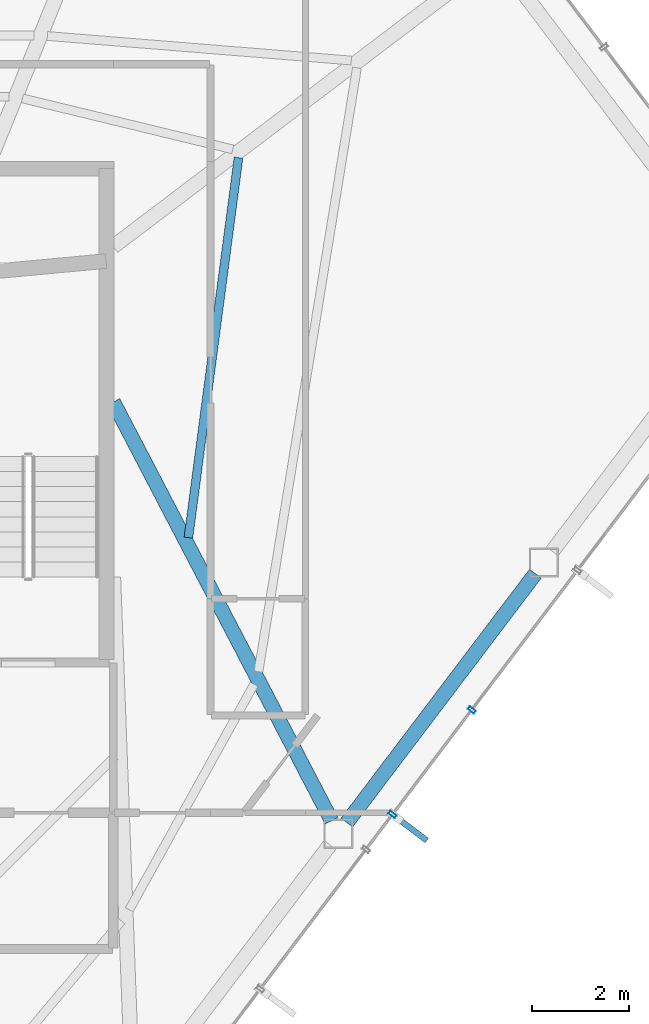
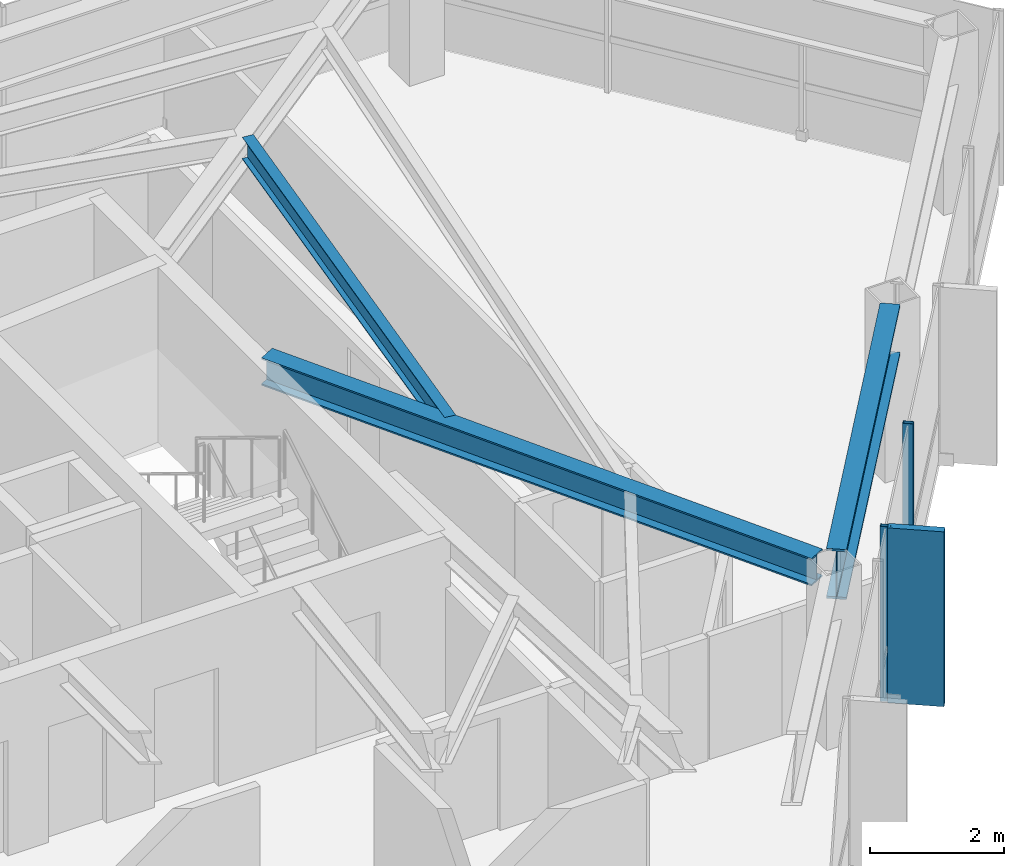
# One storey, part 16 of 25: 3 beams, 3 members, 1 element without a shape of its own.
"""IFC4 building model written with IfcOpenShell, lengths in metres."""

from ifc_helpers import new_model, si_unit, direction, frame, origin, origin_2d, place, context, subcontext, project, spatial, rectangle, hollow_rectangle, i_section, extrude, material, layer, layer_set, material_profile, profile_set, type_object, element, aggregate, save


model = new_model("IFC4")

# Units and contexts
model_context = context("Model", 3, precision=1e-05, world=origin(), true_north=direction((0.0, 1.0)))
body_context = subcontext(model_context, "Body", "Model", "MODEL_VIEW")
ifc_project = project(units=[si_unit("LENGTHUNIT", "METRE"), si_unit("AREAUNIT", "SQUARE_METRE"), si_unit("VOLUMEUNIT", "CUBIC_METRE"), si_unit("PLANEANGLEUNIT", "RADIAN"), si_unit("MASSUNIT", "GRAM", prefix="KILO")], contexts=[model_context])

# Site, building, storey
site_placement = place(None, origin())
site = spatial("IfcSite", under=ifc_project, at=site_placement, CompositionType="ELEMENT")
building_placement = place(site_placement, origin())
building = spatial("IfcBuilding", under=site, at=building_placement, Name="Zarrinselat Tower", CompositionType="ELEMENT")
storey_placement = place(building_placement, frame((0.0, 0.0, 208.760009765625)))
storey = spatial("IfcBuildingStorey", under=building, at=storey_placement, Name="L51", CompositionType="ELEMENT", Elevation=208.760009765625)

# Beams
ifc_material_1 = material(Name="Steel S355J2", Category="steel")
ifc_material_profile_1 = material_profile(ifc_material_1, i_section(OverallWidth=0.300048828125, OverallDepth=0.5, WebThickness=0.014404296875, FlangeThickness=0.028076171875, at=origin_2d()), Name="HEB 500")
ifc_profile_set_1 = profile_set([ifc_material_profile_1], Name="Steel S355J2")
beam_type_1 = type_object("IfcBeamType", Name="BM-HEB500", PredefinedType="BEAM", material=ifc_profile_set_1)
beam_1_placement = place(storey_placement, frame((48.35009765625, 38.60009765625, 2.929931640625), z_axis=(0.462230966052, -0.886759569457, 0.0), x_axis=(0.886759569457, 0.462230966052, 0.0)))
element("IfcBeam", 1, at=beam_1_placement, inside=storey, type_object=beam_type_1, Name="L51 Radial Primary Girder RG13", PredefinedType="BEAM", context=body_context, shape_type="SweptSolid", body=[
    extrude(i_section(OverallWidth=0.300048828125, OverallDepth=0.5, WebThickness=0.014404296875, FlangeThickness=0.028076171875, at=origin_2d()), origin(), (0.0, 0.0, 1.0), 9.713134765625),
])
ifc_material_2 = material(Name="Steel S460M", Category="steel")
ifc_material_profile_2 = material_profile(ifc_material_2, i_section(OverallWidth=0.302001953125, OverallDepth=0.909912109375, WebThickness=0.02099609375, FlangeThickness=0.0400390625, at=origin_2d()), Name="HEM 900")
ifc_profile_set_2 = profile_set([ifc_material_profile_2], Name="Steel S460M")
beam_type_2 = type_object("IfcBeamType", Name="BM-HEM900", PredefinedType="BEAM", material=ifc_profile_set_2)
beam_2_placement = place(storey_placement, frame((53.1533203125, 29.94873046875, 2.72509765625), z_axis=(0.603878909559, 0.797076070768, 0.0), x_axis=(-0.797076070768, 0.603878909559, 0.0)))
element("IfcBeam", 2, at=beam_2_placement, inside=storey, type_object=beam_type_2, Name="L51 Perimeter Spandrel Girder SP13", PredefinedType="BEAM", context=body_context, shape_type="SweptSolid", body=[
    extrude(i_section(OverallWidth=0.302001953125, OverallDepth=0.909912109375, WebThickness=0.02099609375, FlangeThickness=0.0400390625, at=origin_2d()), origin(), (0.0, 0.0, 1.0), 6.42333984375),
])
ifc_material_3 = material(Name="Steel S355J2", Category="steel")
ifc_material_profile_3 = material_profile(ifc_material_3, i_section(OverallWidth=0.179931640625, OverallDepth=0.39990234375, WebThickness=0.008544921875, FlangeThickness=0.013427734375, at=origin_2d()), Name="IPE 400")
ifc_profile_set_3 = profile_set([ifc_material_profile_3], Name="Steel S355J2")
beam_type_3 = type_object("IfcBeamType", Name="BM-IPE400", PredefinedType="JOIST", material=ifc_profile_set_3)
beam_3_placement = place(storey_placement, frame((49.894775390625, 35.810302734375, 2.97998046875), z_axis=(0.130690837588, 0.991423171492, 0.0), x_axis=(-0.991423171492, 0.130690837588, 0.0)))
element("IfcBeam", 3, at=beam_3_placement, inside=storey, type_object=beam_type_3, Name="L51 Composite Floor Joist 5-2", PredefinedType="JOIST", context=body_context, shape_type="SweptSolid", body=[
    extrude(i_section(OverallWidth=0.179931640625, OverallDepth=0.39990234375, WebThickness=0.008544921875, FlangeThickness=0.013427734375, at=origin_2d()), origin(), (0.0, 0.0, 1.0), 7.88330078125),
])

# Curtain wall, members
ifc_material_4 = material(Name="Extruded Aluminium Alloy EN AW-6063 T6", Category="aluminium")
ifc_layer = layer(ifc_material_4, 0.169921875)
ifc_layer_set = layer_set([ifc_layer], Name="Extruded Aluminium Alloy EN AW-6063 T6")
curtain_wall_type = type_object("IfcCurtainWallType", Name="CWS-RES", PredefinedType="NOTDEFINED", material=ifc_layer_set)
curtain_wall_placement = place(storey_placement, origin())
curtain_wall = element("IfcCurtainWall", 4, at=curtain_wall_placement, inside=storey, type_object=curtain_wall_type, Name="L51 Unitised Curtain Wall CW-L51-E05", PredefinedType="NOTDEFINED")
ifc_material_5 = material(Name="Extruded Aluminium Alloy EN AW-6063 T6", Category="aluminium")
ifc_material_profile_4 = material_profile(ifc_material_5, hollow_rectangle(XDim=0.070068359375, YDim=0.159912109375, WallThickness=0.00390625, at=origin_2d()), Name="RHS 160x70x4")
ifc_profile_set_4 = profile_set([ifc_material_profile_4], Name="Extruded Aluminium Alloy EN AW-6063 T6")
member_type_1 = type_object("IfcMemberType", Name="MEM-CW-MUL2", PredefinedType="MULLION", material=ifc_profile_set_4)
member_1_placement = place(storey_placement, frame((54.093994140625, 30.11376953125, 0.0), z_axis=(0.0, 0.0, 1.0), x_axis=(0.603859492128, 0.797090781384, 0.0)))
member_1 = element("IfcMember", 5, at=member_1_placement, type_object=member_type_1, Name="CW-L51-E05 Mullion 5", PredefinedType="MULLION", context=body_context, shape_type="SweptSolid", body=[
    extrude(hollow_rectangle(XDim=0.070068359375, YDim=0.159912109375, WallThickness=0.00390625, at=origin_2d()), origin(), (0.0, 0.0, 1.0), 3.179931640625),
])
member_2_placement = place(storey_placement, frame((55.7236328125, 32.264892578125, 0.0), z_axis=(0.0, 0.0, 1.0), x_axis=(0.603859492128, 0.797090781384, 0.0)))
member_2 = element("IfcMember", 6, at=member_2_placement, type_object=member_type_1, Name="CW-L51-E05 Mullion 6", PredefinedType="MULLION", context=body_context, shape_type="SweptSolid", body=[
    extrude(hollow_rectangle(XDim=0.070068359375, YDim=0.159912109375, WallThickness=0.00390625, at=origin_2d()), origin(), (0.0, 0.0, 1.0), 3.179931640625),
])
ifc_material_6 = material(Name="Honed Cream Travertine Stone", Category="masonry")
ifc_material_profile_5 = material_profile(ifc_material_6, rectangle(XDim=0.1201171875, YDim=0.85009765625, at=origin_2d()), Name="FIN 850x120")
ifc_profile_set_5 = profile_set([ifc_material_profile_5], Name="Honed Cream Travertine Stone")
member_type_2 = type_object("IfcMemberType", Name="MEM-STONE-FIN", PredefinedType="USERDEFINED", material=ifc_profile_set_5)
member_3_placement = place(storey_placement, frame((54.460693359375, 29.8359375, 0.0), z_axis=(0.0, 0.0, 1.0), x_axis=(-0.603859492128, -0.797090781384, 0.0)))
member_3 = element("IfcMember", 7, at=member_3_placement, type_object=member_type_2, Name="L51 Stone Shading Fin CW-L51-E05-05", ObjectType="FIN", PredefinedType="USERDEFINED", context=body_context, shape_type="SweptSolid", body=[
    extrude(rectangle(XDim=0.1201171875, YDim=0.85009765625, at=origin_2d()), origin(), (0.0, 0.0, 1.0), 3.179931640625),
])
aggregate(curtain_wall, [member_1, member_3, member_2])

save(model, "model.ifc")
